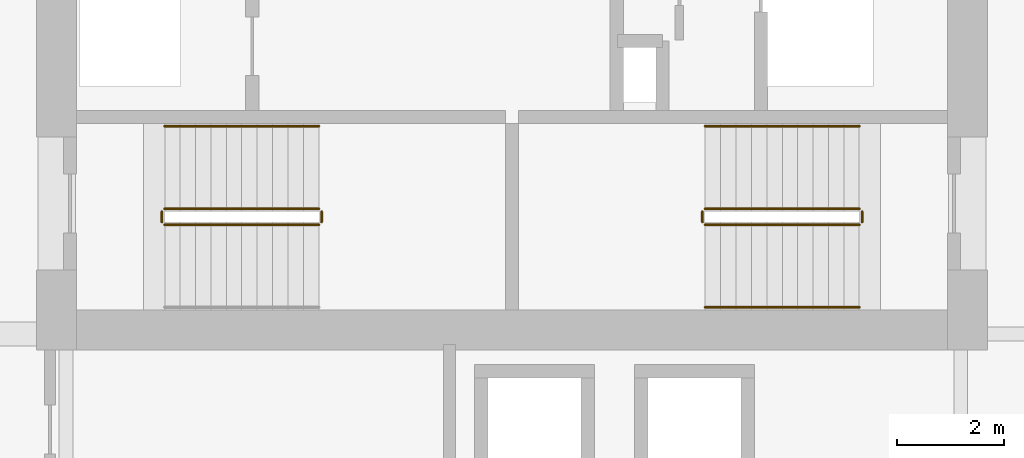
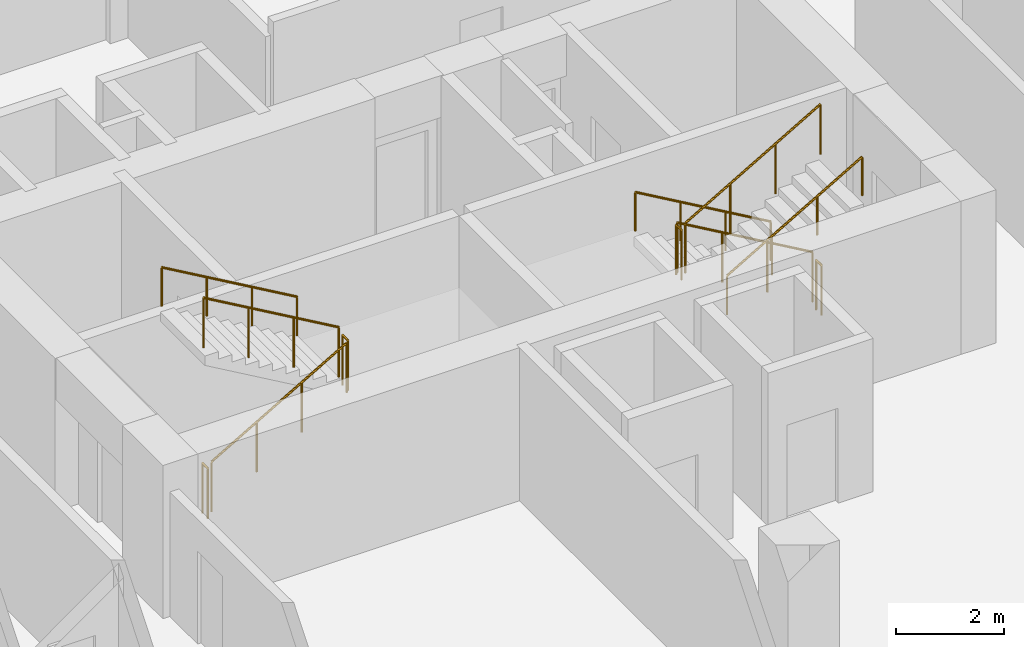
# One storey, part 14 of 16: 11 railings.
"""IFC4 building model written with IfcOpenShell, lengths in metres."""

from ifc_helpers import new_model, si_unit, direction, frame, origin, origin_2d, place, context, subcontext, project, spatial, circle, extrude, material, type_object, element, save


model = new_model("IFC4")

# Units and contexts
model_context = context("Model", 3, precision=1e-05, world=origin(), true_north=direction((0.0, 1.0)))
body_context = subcontext(model_context, "Body", "Model", "MODEL_VIEW")
ifc_project = project(units=[si_unit("LENGTHUNIT", "METRE"), si_unit("AREAUNIT", "SQUARE_METRE"), si_unit("VOLUMEUNIT", "CUBIC_METRE"), si_unit("PLANEANGLEUNIT", "RADIAN"), si_unit("MASSUNIT", "GRAM", prefix="KILO")], contexts=[model_context])

# Site, building, storey
site_placement = place(None, origin())
site = spatial("IfcSite", under=ifc_project, at=site_placement, CompositionType="ELEMENT")
building_placement = place(site_placement, origin())
building = spatial("IfcBuilding", under=site, at=building_placement, Name="Koriwani Terraces Tower", CompositionType="ELEMENT")
storey_placement = place(building_placement, frame((0.0, 0.0, 186.5)))
storey = spatial("IfcBuildingStorey", under=building, at=storey_placement, Name="L45", CompositionType="ELEMENT", Elevation=186.5)

# Railings
ifc_material = material(Name="Steel ASTM A572 Grade 50", Category="steel")
railing_type_1 = type_object("IfcRailingType", Name="GUARD_STAIR_WELL_1120", PredefinedType="GUARDRAIL", material=ifc_material)
railing_1_placement = place(storey_placement, frame((43.85009765625, 18.85009765625, 0.168212890625)))
element("IfcRailing", 1, at=railing_1_placement, inside=storey, type_object=railing_type_1, Name="L45 ST-E1 stair guard 1", PredefinedType="GUARDRAIL", context=body_context, shape_type="SweptSolid", body=[
    extrude(circle(Radius=0.02392578125, at=origin_2d()), frame((0.0, 0.0, 1.1259765625), z_axis=(0.865038774852, 0.0, 0.501705010941), x_axis=(0.0, 1.0, 0.0)), (0.0, 0.0, 1.0), 3.352294921875),
    extrude(circle(Radius=0.02099609375, at=origin_2d()), origin(), (0.0, 0.0, 1.0), 1.101806640625),
    extrude(circle(Radius=0.02099609375, at=origin_2d()), frame((0.966552734375, 0.0, 0.560546875)), (0.0, 0.0, 1.0), 1.101806640625),
    extrude(circle(Radius=0.02099609375, at=origin_2d()), frame((1.933349609375, 0.0, 1.121337890625)), (0.0, 0.0, 1.0), 1.101806640625),
    extrude(circle(Radius=0.02099609375, at=origin_2d()), frame((2.89990234375, 0.0, 1.681884765625)), (0.0, 0.0, 1.0), 1.101806640625),
])
railing_2_placement = place(storey_placement, frame((46.800048828125, 18.89990234375, 1.85009765625)))
element("IfcRailing", 2, at=railing_2_placement, inside=storey, type_object=railing_type_1, Name="L45 ST-E1 stair guard 2", PredefinedType="GUARDRAIL", context=body_context, shape_type="SweptSolid", body=[
    extrude(circle(Radius=0.02392578125, at=origin_2d()), frame((0.0, 0.0, 1.1259765625), z_axis=(0.0, 1.0, 0.0), x_axis=(-1.0, 0.0, 0.0)), (0.0, 0.0, 1.0), 0.2001953125),
    extrude(circle(Radius=0.02099609375, at=origin_2d()), origin(), (0.0, 0.0, 1.0), 1.101806640625),
    extrude(circle(Radius=0.02099609375, at=origin_2d()), frame((0.0, 0.2001953125, 0.0)), (0.0, 0.0, 1.0), 1.101806640625),
])
railing_3_placement = place(storey_placement, frame((46.75, 19.14990234375, 2.01806640625)))
element("IfcRailing", 3, at=railing_3_placement, inside=storey, type_object=railing_type_1, Name="L45 ST-E1 stair guard 3", PredefinedType="GUARDRAIL", context=body_context, shape_type="SweptSolid", body=[
    extrude(circle(Radius=0.02392578125, at=origin_2d()), frame((0.0, 0.0, 1.1259765625), z_axis=(-0.865038774852, 0.0, 0.501705010941), x_axis=(0.0, -1.0, 0.0)), (0.0, 0.0, 1.0), 3.352294921875),
    extrude(circle(Radius=0.02099609375, at=origin_2d()), origin(), (0.0, 0.0, 1.0), 1.101806640625),
    extrude(circle(Radius=0.02099609375, at=origin_2d()), frame((-0.966552734375, 0.0, 0.560546875)), (0.0, 0.0, 1.0), 1.101806640625),
    extrude(circle(Radius=0.02099609375, at=origin_2d()), frame((-1.933349609375, 0.0, 1.121337890625)), (0.0, 0.0, 1.0), 1.101806640625),
    extrude(circle(Radius=0.02099609375, at=origin_2d()), frame((-2.89990234375, 0.0, 1.681884765625)), (0.0, 0.0, 1.0), 1.101806640625),
])
railing_4_placement = place(storey_placement, frame((43.800048828125, 18.89990234375, 0.0)))
element("IfcRailing", 4, at=railing_4_placement, inside=storey, type_object=railing_type_1, Name="L45 ST-E1 stair guard 4", PredefinedType="GUARDRAIL", context=body_context, shape_type="SweptSolid", body=[
    extrude(circle(Radius=0.02392578125, at=origin_2d()), frame((0.0, 0.0, 1.1259765625), z_axis=(0.0, 1.0, 0.0), x_axis=(-1.0, 0.0, 0.0)), (0.0, 0.0, 1.0), 0.2001953125),
    extrude(circle(Radius=0.02099609375, at=origin_2d()), origin(), (0.0, 0.0, 1.0), 1.101806640625),
    extrude(circle(Radius=0.02099609375, at=origin_2d()), frame((0.0, 0.2001953125, 0.0)), (0.0, 0.0, 1.0), 1.101806640625),
])
railing_5_placement = place(storey_placement, frame((56.89990234375, 19.14990234375, 0.168212890625)))
element("IfcRailing", 5, at=railing_5_placement, inside=storey, type_object=railing_type_1, Name="L45 ST-E2 stair guard 1", PredefinedType="GUARDRAIL", context=body_context, shape_type="SweptSolid", body=[
    extrude(circle(Radius=0.02392578125, at=origin_2d()), frame((0.0, 0.0, 1.1259765625), z_axis=(-0.865038774852, 0.0, 0.501705010941), x_axis=(0.0, -1.0, 0.0)), (0.0, 0.0, 1.0), 3.352294921875),
    extrude(circle(Radius=0.02099609375, at=origin_2d()), origin(), (0.0, 0.0, 1.0), 1.101806640625),
    extrude(circle(Radius=0.02099609375, at=origin_2d()), frame((-0.966552734375, 0.0, 0.560546875)), (0.0, 0.0, 1.0), 1.101806640625),
    extrude(circle(Radius=0.02099609375, at=origin_2d()), frame((-1.933349609375, 0.0, 1.121337890625)), (0.0, 0.0, 1.0), 1.101806640625),
    extrude(circle(Radius=0.02099609375, at=origin_2d()), frame((-2.89990234375, 0.0, 1.681884765625)), (0.0, 0.0, 1.0), 1.101806640625),
])
railing_6_placement = place(storey_placement, frame((53.949951171875, 19.10009765625, 1.85009765625)))
element("IfcRailing", 6, at=railing_6_placement, inside=storey, type_object=railing_type_1, Name="L45 ST-E2 stair guard 2", PredefinedType="GUARDRAIL", context=body_context, shape_type="SweptSolid", body=[
    extrude(circle(Radius=0.02392578125, at=origin_2d()), frame((0.0, 0.0, 1.1259765625), z_axis=(0.0, -1.0, 0.0), x_axis=(1.0, 0.0, 0.0)), (0.0, 0.0, 1.0), 0.2001953125),
    extrude(circle(Radius=0.02099609375, at=origin_2d()), origin(), (0.0, 0.0, 1.0), 1.101806640625),
    extrude(circle(Radius=0.02099609375, at=origin_2d()), frame((0.0, -0.2001953125, 0.0)), (0.0, 0.0, 1.0), 1.101806640625),
])
railing_7_placement = place(storey_placement, frame((54.0, 18.85009765625, 2.01806640625)))
element("IfcRailing", 7, at=railing_7_placement, inside=storey, type_object=railing_type_1, Name="L45 ST-E2 stair guard 3", PredefinedType="GUARDRAIL", context=body_context, shape_type="SweptSolid", body=[
    extrude(circle(Radius=0.02392578125, at=origin_2d()), frame((0.0, 0.0, 1.1259765625), z_axis=(0.865038774852, 0.0, 0.501705010941), x_axis=(0.0, 1.0, 0.0)), (0.0, 0.0, 1.0), 3.352294921875),
    extrude(circle(Radius=0.02099609375, at=origin_2d()), origin(), (0.0, 0.0, 1.0), 1.101806640625),
    extrude(circle(Radius=0.02099609375, at=origin_2d()), frame((0.966552734375, 0.0, 0.560546875)), (0.0, 0.0, 1.0), 1.101806640625),
    extrude(circle(Radius=0.02099609375, at=origin_2d()), frame((1.933349609375, 0.0, 1.121337890625)), (0.0, 0.0, 1.0), 1.101806640625),
    extrude(circle(Radius=0.02099609375, at=origin_2d()), frame((2.89990234375, 0.0, 1.681884765625)), (0.0, 0.0, 1.0), 1.101806640625),
])
railing_8_placement = place(storey_placement, frame((56.949951171875, 19.10009765625, 0.0)))
element("IfcRailing", 8, at=railing_8_placement, inside=storey, type_object=railing_type_1, Name="L45 ST-E2 stair guard 4", PredefinedType="GUARDRAIL", context=body_context, shape_type="SweptSolid", body=[
    extrude(circle(Radius=0.02392578125, at=origin_2d()), frame((0.0, 0.0, 1.1259765625), z_axis=(0.0, -1.0, 0.0), x_axis=(1.0, 0.0, 0.0)), (0.0, 0.0, 1.0), 0.2001953125),
    extrude(circle(Radius=0.02099609375, at=origin_2d()), origin(), (0.0, 0.0, 1.0), 1.101806640625),
    extrude(circle(Radius=0.02099609375, at=origin_2d()), frame((0.0, -0.2001953125, 0.0)), (0.0, 0.0, 1.0), 1.101806640625),
])
railing_type_2 = type_object("IfcRailingType", Name="HANDRAIL_STAIR_920", PredefinedType="HANDRAIL", material=ifc_material)
for number, where, name in (
    (9, (46.75, 20.699951171875, 2.01806640625), "L45 ST-E1 stair handrail 2"),
    (10, (56.89990234375, 20.699951171875, 0.168212890625), "L45 ST-E2 stair handrail 1"),
):
    element("IfcRailing", number, at=place(storey_placement, frame(where)), inside=storey, type_object=railing_type_2, Name=name, PredefinedType="HANDRAIL", context=body_context, shape_type="SweptSolid", body=[
        extrude(circle(Radius=0.02392578125, at=origin_2d()), frame((0.0, 0.0, 0.8759765625), z_axis=(-0.865038774852, 0.0, 0.501705010941), x_axis=(0.0, -1.0, 0.0)), (0.0, 0.0, 1.0), 3.352294921875),
        extrude(circle(Radius=0.02099609375, at=origin_2d()), origin(), (0.0, 0.0, 1.0), 0.851806640625),
        extrude(circle(Radius=0.02099609375, at=origin_2d()), frame((-0.966552734375, 0.0, 0.560546875)), (0.0, 0.0, 1.0), 0.851806640625),
        extrude(circle(Radius=0.02099609375, at=origin_2d()), frame((-1.933349609375, 0.0, 1.121337890625)), (0.0, 0.0, 1.0), 0.851806640625),
        extrude(circle(Radius=0.02099609375, at=origin_2d()), frame((-2.89990234375, 0.0, 1.681884765625)), (0.0, 0.0, 1.0), 0.851806640625),
    ])
railing_9_placement = place(storey_placement, frame((54.0, 17.300048828125, 2.01806640625)))
element("IfcRailing", 11, at=railing_9_placement, inside=storey, type_object=railing_type_2, Name="L45 ST-E2 stair handrail 2", PredefinedType="HANDRAIL", context=body_context, shape_type="SweptSolid", body=[
    extrude(circle(Radius=0.02392578125, at=origin_2d()), frame((0.0, 0.0, 0.8759765625), z_axis=(0.865038774852, 0.0, 0.501705010941), x_axis=(0.0, 1.0, 0.0)), (0.0, 0.0, 1.0), 3.352294921875),
    extrude(circle(Radius=0.02099609375, at=origin_2d()), origin(), (0.0, 0.0, 1.0), 0.851806640625),
    extrude(circle(Radius=0.02099609375, at=origin_2d()), frame((0.966552734375, 0.0, 0.560546875)), (0.0, 0.0, 1.0), 0.851806640625),
    extrude(circle(Radius=0.02099609375, at=origin_2d()), frame((1.933349609375, 0.0, 1.121337890625)), (0.0, 0.0, 1.0), 0.851806640625),
    extrude(circle(Radius=0.02099609375, at=origin_2d()), frame((2.89990234375, 0.0, 1.681884765625)), (0.0, 0.0, 1.0), 0.851806640625),
])

save(model, "model.ifc")
